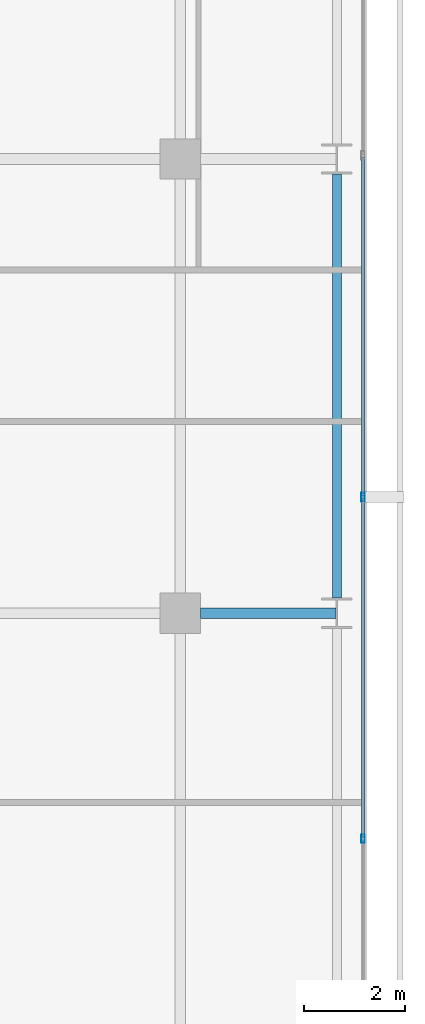
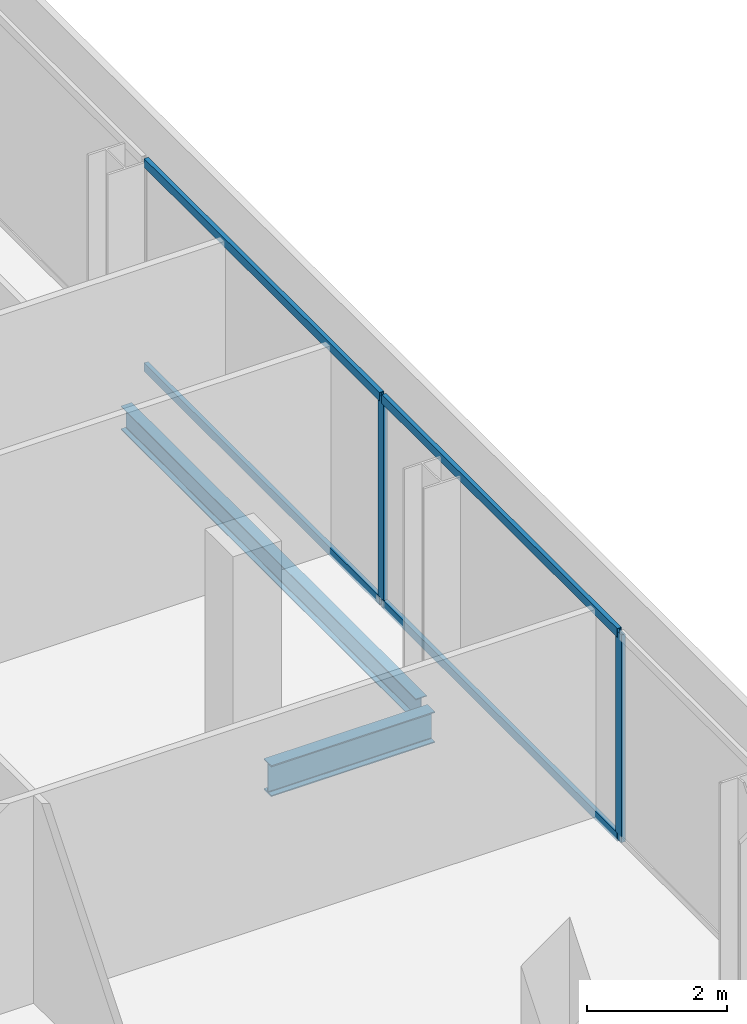
# One storey, part 17 of 33: 6 members, 2 beams, 1 element without a shape of its own.
"""IFC4 building model written with IfcOpenShell, lengths in metres."""

from ifc_helpers import new_model, si_unit, direction, frame, origin, origin_2d, place, context, subcontext, project, spatial, hollow_rectangle, i_section, extrude, material, layer, layer_set, material_profile, profile_set, type_object, element, aggregate, save


model = new_model("IFC4")

# Units and contexts
model_context = context("Model", 3, precision=1e-05, world=origin(), true_north=direction((0.0, 1.0)))
body_context = subcontext(model_context, "Body", "Model", "MODEL_VIEW")
ifc_project = project(units=[si_unit("LENGTHUNIT", "METRE"), si_unit("AREAUNIT", "SQUARE_METRE"), si_unit("VOLUMEUNIT", "CUBIC_METRE"), si_unit("PLANEANGLEUNIT", "RADIAN"), si_unit("MASSUNIT", "GRAM", prefix="KILO")], contexts=[model_context])

# Site, building, storey
site_placement = place(None, origin())
site = spatial("IfcSite", under=ifc_project, at=site_placement, CompositionType="ELEMENT")
building_placement = place(site_placement, origin())
building = spatial("IfcBuilding", under=site, at=building_placement, Name="Maruvema Waterfront Hotel and Observation Tower", CompositionType="ELEMENT")
storey_placement = place(building_placement, frame((0.0, 0.0, 204.39990234375)))
storey = spatial("IfcBuildingStorey", under=building, at=storey_placement, Name="L50", CompositionType="ELEMENT", Elevation=204.39990234375)

# Curtain wall, members
ifc_material_1 = material(Name="Anodised bronze aluminium and solar-control low-E IGU", Category="aluminium")
ifc_layer = layer(ifc_material_1, 0.159912109375, Name="Zone 2 Amber Inner Thermal Curtain Wall System CW-03")
ifc_layer_set = layer_set([ifc_layer], Name="Anodised bronze aluminium and solar-control low-E IGU")
curtain_wall_type = type_object("IfcCurtainWallType", Name="Zone 2 Amber Inner Thermal Curtain Wall System CW-03", PredefinedType="USERDEFINED", material=ifc_layer_set)
curtain_wall_placement = place(storey_placement, origin())
curtain_wall = element("IfcCurtainWall", 1, at=curtain_wall_placement, inside=storey, type_object=curtain_wall_type, Name="L50 Curtain Wall CW-L50-E", ObjectType="UNITISED CURTAIN WALL", PredefinedType="USERDEFINED")
ifc_material_2 = material(Name="Anodised architectural bronze aluminium", Category="aluminium")
ifc_material_profile_1 = material_profile(ifc_material_2, hollow_rectangle(XDim=0.070068359375, YDim=0.14990234375, WallThickness=0.00390625, at=origin_2d()), Name="ALU-T70x150")
ifc_profile_set_1 = profile_set([ifc_material_profile_1], Name="Anodised architectural bronze aluminium")
member_type_1 = type_object("IfcMemberType", Name="Curtain Wall Horizontal Transom ALU-T70x150", PredefinedType="USERDEFINED", material=ifc_profile_set_1)
member_1_placement = place(storey_placement, frame((62.419921875, 22.563232421875, 0.030029296875), z_axis=(0.0, 1.0, 0.0), x_axis=(-1.0, 0.0, 0.0)))
member_1 = element("IfcMember", 2, at=member_1_placement, type_object=member_type_1, Name="CW-03 transom 3.1", ObjectType="TRANSOM", PredefinedType="USERDEFINED", context=body_context, shape_type="SweptSolid", body=[
    extrude(hollow_rectangle(XDim=0.070068359375, YDim=0.14990234375, WallThickness=0.00390625, at=origin_2d()), origin(), (0.0, 0.0, 1.0), 6.706787109375),
])
member_2_placement = place(storey_placement, frame((62.419921875, 22.563232421875, 3.580078125), z_axis=(0.0, 1.0, 0.0), x_axis=(-1.0, 0.0, 0.0)))
member_2 = element("IfcMember", 3, at=member_2_placement, type_object=member_type_1, Name="CW-03 transom 3.2", ObjectType="TRANSOM", PredefinedType="USERDEFINED", context=body_context, shape_type="SweptSolid", body=[
    extrude(hollow_rectangle(XDim=0.070068359375, YDim=0.14990234375, WallThickness=0.00390625, at=origin_2d()), origin(), (0.0, 0.0, 1.0), 6.706787109375),
])
member_3_placement = place(storey_placement, frame((62.419921875, 29.330078125, 0.030029296875), z_axis=(0.0, 1.0, 0.0), x_axis=(-1.0, 0.0, 0.0)))
member_3 = element("IfcMember", 4, at=member_3_placement, type_object=member_type_1, Name="CW-03 transom 4.1", ObjectType="TRANSOM", PredefinedType="USERDEFINED", context=body_context, shape_type="SweptSolid", body=[
    extrude(hollow_rectangle(XDim=0.070068359375, YDim=0.14990234375, WallThickness=0.00390625, at=origin_2d()), origin(), (0.0, 0.0, 1.0), 6.70654296875),
])
member_4_placement = place(storey_placement, frame((62.419921875, 29.330078125, 3.580078125), z_axis=(0.0, 1.0, 0.0), x_axis=(-1.0, 0.0, 0.0)))
member_4 = element("IfcMember", 5, at=member_4_placement, type_object=member_type_1, Name="CW-03 transom 4.2", ObjectType="TRANSOM", PredefinedType="USERDEFINED", context=body_context, shape_type="SweptSolid", body=[
    extrude(hollow_rectangle(XDim=0.070068359375, YDim=0.14990234375, WallThickness=0.00390625, at=origin_2d()), origin(), (0.0, 0.0, 1.0), 6.70654296875),
])
ifc_material_3 = material(Name="Anodised architectural bronze aluminium", Category="aluminium")
ifc_material_profile_2 = material_profile(ifc_material_3, hollow_rectangle(XDim=0.06494140625, YDim=0.1650390625, WallThickness=0.00390625, at=origin_2d()), Name="ALU-M65x165")
ifc_profile_set_2 = profile_set([ifc_material_profile_2], Name="Anodised architectural bronze aluminium")
member_type_2 = type_object("IfcMemberType", Name="Curtain Wall Primary Mullion ALU-M65x165", PredefinedType="MULLION", material=ifc_profile_set_2)
member_5_placement = place(storey_placement, frame((62.419921875, 22.533447265625, 0.0), z_axis=(0.0, 0.0, 1.0), x_axis=(-1.0, 0.0, 0.0)))
member_5 = element("IfcMember", 6, at=member_5_placement, type_object=member_type_2, Name="CW-03 mullion 3", PredefinedType="MULLION", context=body_context, shape_type="SweptSolid", body=[
    extrude(hollow_rectangle(XDim=0.06494140625, YDim=0.1650390625, WallThickness=0.00390625, at=origin_2d()), origin(), (0.0, 0.0, 1.0), 3.610107421875),
])
member_6_placement = place(storey_placement, frame((62.419921875, 29.300048828125, 0.0), z_axis=(0.0, 0.0, 1.0), x_axis=(-1.0, 0.0, 0.0)))
member_6 = element("IfcMember", 7, at=member_6_placement, type_object=member_type_2, Name="CW-03 mullion 4", PredefinedType="MULLION", context=body_context, shape_type="SweptSolid", body=[
    extrude(hollow_rectangle(XDim=0.06494140625, YDim=0.1650390625, WallThickness=0.00390625, at=origin_2d()), origin(), (0.0, 0.0, 1.0), 3.610107421875),
])
aggregate(curtain_wall, [member_5, member_6, member_1, member_2, member_3, member_4])

# Beams
ifc_material_4 = material(Name="Steel ASTM A572 Grade 50", Category="steel")
ifc_material_profile_3 = material_profile(ifc_material_4, i_section(OverallWidth=0.178955078125, OverallDepth=0.409912109375, WebThickness=0.0087890625, FlangeThickness=0.014404296875, FilletRadius=0.014892578125, at=origin_2d()), Name="W410x67.0")
ifc_profile_set_3 = profile_set([ifc_material_profile_3], Name="Steel ASTM A572 Grade 50")
beam_type_1 = type_object("IfcBeamType", Name="Perimeter Spandrel Beam W410x67.0", PredefinedType="SPANDREL", material=ifc_profile_set_3)
beam_1_placement = place(storey_placement, frame((61.89990234375, 27.300048828125, -0.44482421875), z_axis=(0.0, 1.0, 0.0), x_axis=(-1.0, 0.0, 0.0)))
element("IfcBeam", 8, at=beam_1_placement, inside=storey, type_object=beam_type_1, Name="L50 Floor Girder NS-31", PredefinedType="SPANDREL", context=body_context, shape_type="SweptSolid", body=[
    extrude(i_section(OverallWidth=0.178955078125, OverallDepth=0.409912109375, WebThickness=0.0087890625, FlangeThickness=0.014404296875, FilletRadius=0.014892578125, at=origin_2d()), origin(), (0.0, 0.0, 1.0), 8.39990234375),
])
ifc_material_5 = material(Name="Steel ASTM A572 Grade 50", Category="steel")
ifc_material_profile_4 = material_profile(ifc_material_5, i_section(OverallWidth=0.2109375, OverallDepth=0.5390625, WebThickness=0.01171875, FlangeThickness=0.018798828125, FilletRadius=0.014892578125, at=origin_2d()), Name="W530x109.0")
ifc_profile_set_4 = profile_set([ifc_material_profile_4], Name="Steel ASTM A572 Grade 50")
beam_type_2 = type_object("IfcBeamType", Name="Primary Floor Girder W530x109.0", PredefinedType="BEAM", material=ifc_profile_set_4)
beam_2_placement = place(storey_placement, frame((59.199951171875, 27.0, -0.509521484375), z_axis=(1.0, 0.0, 0.0), x_axis=(0.0, 1.0, 0.0)))
element("IfcBeam", 9, at=beam_2_placement, inside=storey, type_object=beam_type_2, Name="L50 Floor Girder EW-22", PredefinedType="BEAM", context=body_context, shape_type="SweptSolid", body=[
    extrude(i_section(OverallWidth=0.2109375, OverallDepth=0.5390625, WebThickness=0.01171875, FlangeThickness=0.018798828125, FilletRadius=0.014892578125, at=origin_2d()), origin(), (0.0, 0.0, 1.0), 2.6875),
])

save(model, "model.ifc")
